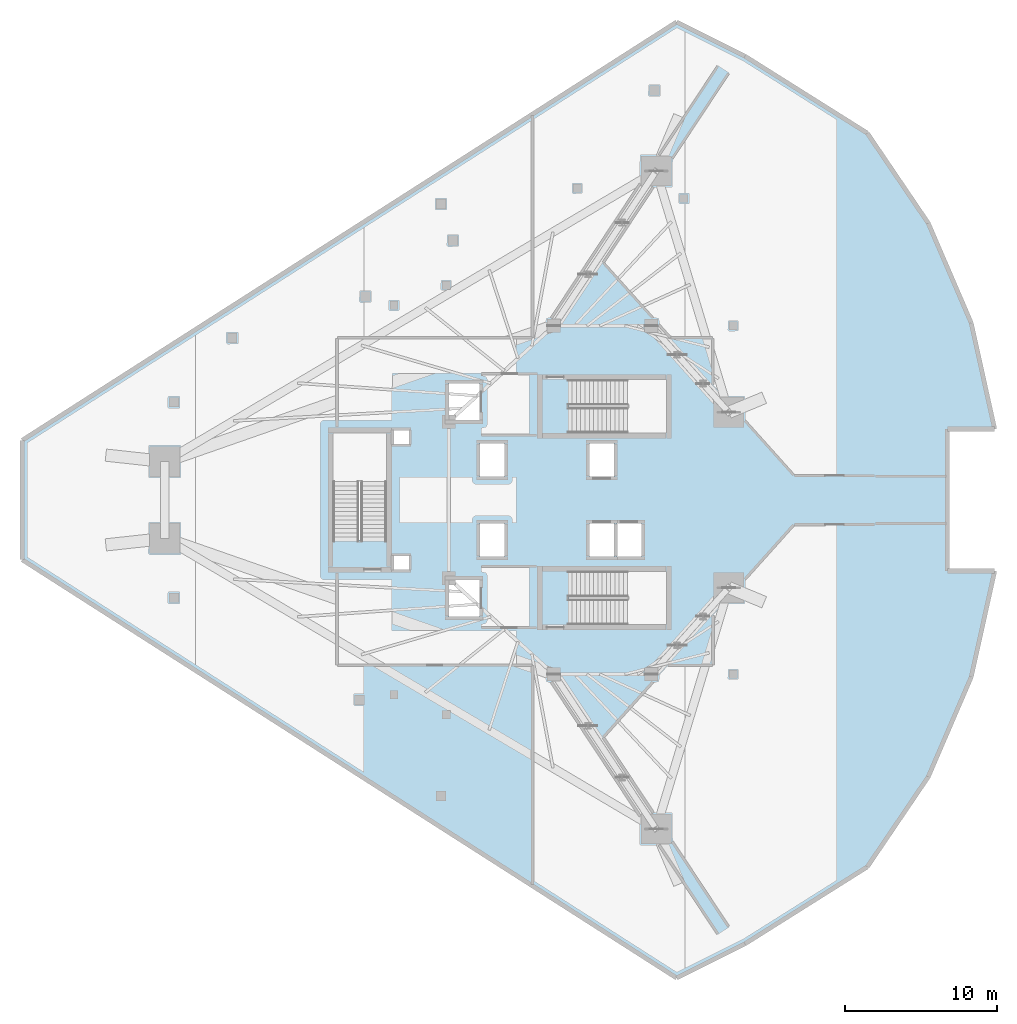
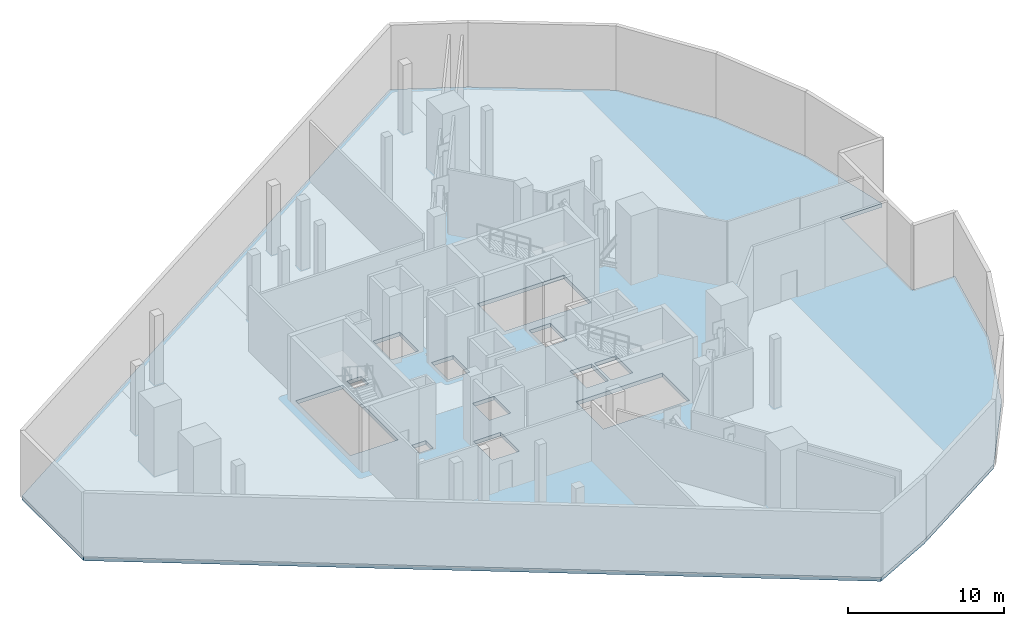
# One storey, part 3 of 13: 1 slab.
"""IFC4 building model written with IfcOpenShell, lengths in metres."""

from ifc_helpers import new_model, si_unit, direction, frame, origin, place, context, subcontext, project, spatial, polyline, outline, extrude, material, layer, layer_set, type_object, element, save


model = new_model("IFC4")

# Units and contexts
model_context = context("Model", 3, precision=1e-05, world=origin(), true_north=direction((0.0, 1.0)))
body_context = subcontext(model_context, "Body", "Model", "MODEL_VIEW")
ifc_project = project(units=[si_unit("LENGTHUNIT", "METRE"), si_unit("AREAUNIT", "SQUARE_METRE"), si_unit("VOLUMEUNIT", "CUBIC_METRE"), si_unit("PLANEANGLEUNIT", "RADIAN"), si_unit("MASSUNIT", "GRAM", prefix="KILO")], contexts=[model_context])

# Site, building, storey
site_placement = place(None, origin())
site = spatial("IfcSite", under=ifc_project, at=site_placement, CompositionType="ELEMENT")
building_placement = place(site_placement, origin())
building = spatial("IfcBuilding", under=site, at=building_placement, Name="Qorvath Tower", CompositionType="ELEMENT")
storey_placement = place(building_placement, frame((0.0, 0.0, 174.60009765625)))
storey = spatial("IfcBuildingStorey", under=building, at=storey_placement, Name="L40", CompositionType="ELEMENT", Elevation=174.60009765625)

# Slab
ifc_material = material(Name="Concrete C50/60", Category="concrete")
ifc_layer = layer(ifc_material, 0.300048828125)
ifc_layer_set = layer_set([ifc_layer], Name="SL-PLANT-300")
slab_type = type_object("IfcSlabType", Name="SL-PLANT-300", PredefinedType="FLOOR", material=ifc_layer_set)
slab_placement = place(storey_placement, frame((0.0, 0.0, -0.300048828125)))
element("IfcSlab", 1, at=slab_placement, inside=storey, type_object=slab_type, Name="Tower L40 Interior Floor Slab", PredefinedType="FLOOR", context=body_context, shape_type="SweptSolid", body=[
    extrude(outline(polyline([(-58.543212890625, 3.927490234375), (-58.543212890625, -3.927490234375), (-15.5263671875, -31.421142578125), (-11.03759765625, -29.1767578125), (-2.9951171875, -24.11865234375), (1.01171875, -18.203369140625), (3.837158203125, -11.641357421875), (5.381103515625, -4.66552734375), (2.270751953125, -4.66552734375), (2.270751953125, 4.66552734375), (5.381103515625, 4.66552734375), (3.837158203125, 11.641357421875), (1.01171875, 18.203369140625), (-2.9951171875, 24.11865234375), (-11.03759765625, 29.1767578125), (-15.5263671875, 31.421142578125), (-58.543212890625, 3.927490234375)]), holes=[polyline([(-16.2451171875, -8.199951171875), (-22.625, -8.199951171875), (-22.625, -4.68994140625), (-16.2451171875, -4.68994140625), (-16.2451171875, -8.199951171875)]), polyline([(-22.625, 4.39990234375), (-22.625, 7.909912109375), (-16.2451171875, 7.909912109375), (-16.2451171875, 4.39990234375), (-22.625, 4.39990234375)]), polyline([(-17.85009765625, -3.699951171875), (-19.449951171875, -3.699951171875), (-19.449951171875, -1.550048828125), (-17.85009765625, -1.550048828125), (-17.85009765625, -3.699951171875)]), polyline([(-21.25, -3.699951171875), (-21.25, -1.550048828125), (-19.64990234375, -1.550048828125), (-19.64990234375, -3.699951171875), (-21.25, -3.699951171875)]), polyline([(-21.25, 1.550048828125), (-21.25, 3.699951171875), (-19.64990234375, 3.699951171875), (-19.64990234375, 1.550048828125), (-21.25, 1.550048828125)]), polyline([(-28.449951171875, -3.699951171875), (-28.449951171875, -1.550048828125), (-26.85009765625, -1.550048828125), (-26.85009765625, -3.699951171875), (-28.449951171875, -3.699951171875)]), polyline([(-26.85009765625, 1.550048828125), (-28.449951171875, 1.550048828125), (-28.449951171875, 3.699951171875), (-26.85009765625, 3.699951171875), (-26.85009765625, 1.550048828125)]), polyline([(-28.5, -7.64990234375), (-30.5, -7.64990234375), (-30.5, -5.25), (-28.5, -5.25), (-28.5, -7.64990234375)]), polyline([(-30.5, 5.25), (-30.5, 7.64990234375), (-28.5, 7.64990234375), (-28.5, 5.25), (-30.5, 5.25)]), polyline([(-34.14990234375, -4.6201171875), (-34.14990234375, -3.64990234375), (-33.10009765625, -3.64990234375), (-33.10009765625, -4.6201171875), (-34.14990234375, -4.6201171875)]), polyline([(-34.14990234375, 3.64990234375), (-34.14990234375, 4.6201171875), (-33.10009765625, 4.6201171875), (-33.10009765625, 3.64990234375), (-34.14990234375, 3.64990234375)]), polyline([(-34.60009765625, -2.675048828125), (-38.110107421875, -2.675048828125), (-38.110107421875, 4.35498046875), (-34.60009765625, 4.35498046875), (-34.60009765625, -2.675048828125)])]), origin(), (0.0, 0.0, 1.0), 0.300048828125),
])

save(model, "model.ifc")
